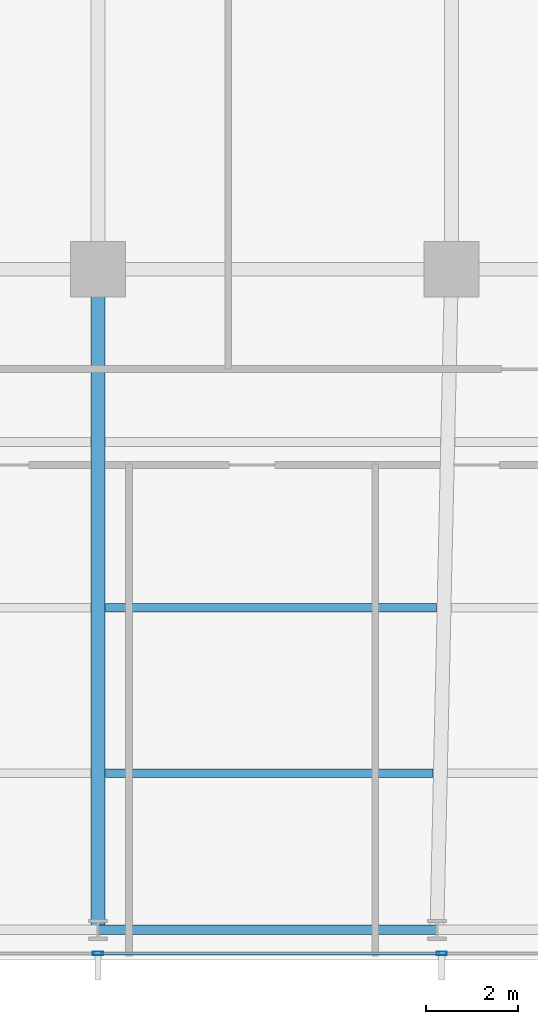
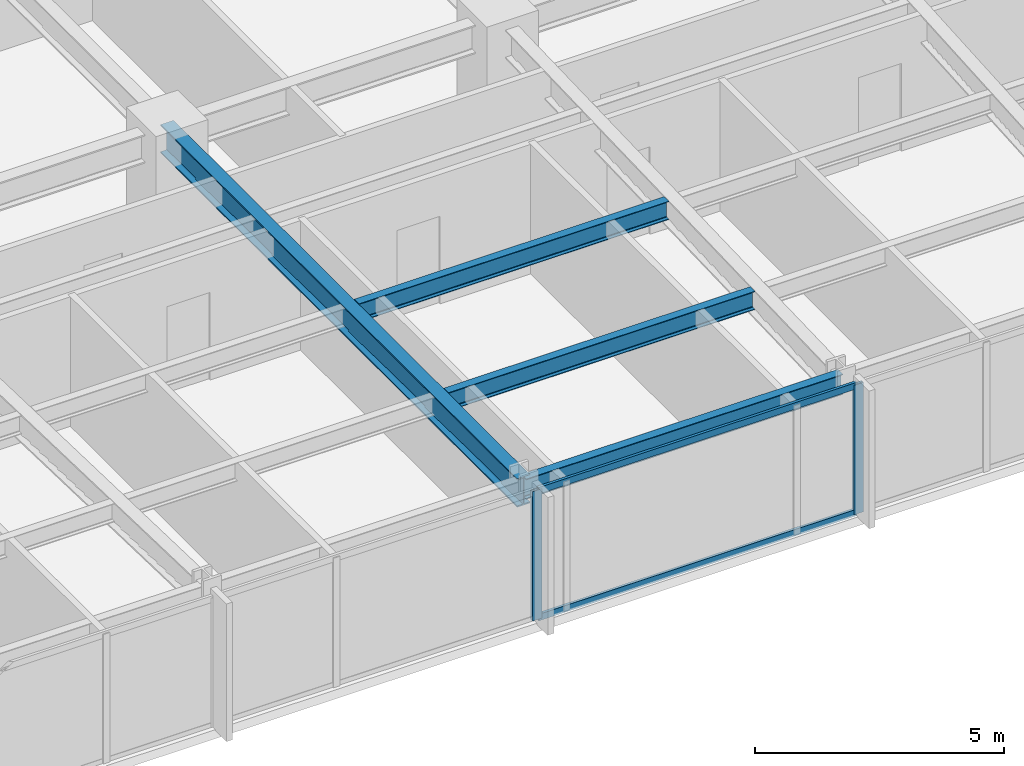
# One storey, part 11 of 32: 4 beams, 4 members, 1 element without a shape of its own.
"""IFC4 building model written with IfcOpenShell, lengths in metres."""

from ifc_helpers import new_model, si_unit, direction, frame, origin, origin_2d, place, context, subcontext, project, spatial, hollow_rectangle, i_section, extrude, material, material_profile, profile_set, type_object, element, aggregate, save


model = new_model("IFC4")

# Units and contexts
model_context = context("Model", 3, precision=1e-05, world=origin(), true_north=direction((0.0, 1.0)))
body_context = subcontext(model_context, "Body", "Model", "MODEL_VIEW")
ifc_project = project(units=[si_unit("LENGTHUNIT", "METRE"), si_unit("AREAUNIT", "SQUARE_METRE"), si_unit("VOLUMEUNIT", "CUBIC_METRE"), si_unit("PLANEANGLEUNIT", "RADIAN"), si_unit("MASSUNIT", "GRAM", prefix="KILO")], contexts=[model_context])

# Site, building, storey
site_placement = place(None, origin())
site = spatial("IfcSite", under=ifc_project, at=site_placement, CompositionType="ELEMENT")
building_placement = place(site_placement, origin())
building = spatial("IfcBuilding", under=site, at=building_placement, Name="Yelkora Congress Tower", CompositionType="ELEMENT")
storey_placement = place(building_placement, frame((0.0, 0.0, 44.0)))
storey = spatial("IfcBuildingStorey", under=building, at=storey_placement, Name="L10", CompositionType="ELEMENT", Elevation=44.0)

# Beams
ifc_material_1 = material(Name="Steel S355J2", Category="steel")
ifc_material_profile_1 = material_profile(ifc_material_1, i_section(OverallWidth=0.300048828125, OverallDepth=0.699951171875, WebThickness=0.01708984375, FlangeThickness=0.031982421875, FilletRadius=0.027099609375, at=origin_2d()), Name="HEB 700")
ifc_profile_set_1 = profile_set([ifc_material_profile_1], Name="Steel S355J2")
beam_type_1 = type_object("IfcBeamType", Name="BM-GIRD-HEB700", PredefinedType="BEAM", material=ifc_profile_set_1)
beam_1_placement = place(storey_placement, frame((38.39990234375, 10.85009765625, 2.830078125), z_axis=(0.0, 1.0, 0.0), x_axis=(-1.0, 0.0, 0.0)))
element("IfcBeam", 1, at=beam_1_placement, inside=storey, type_object=beam_type_1, Name="L10 Primary Frame Girder S05", PredefinedType="BEAM", context=body_context, shape_type="SweptSolid", body=[
    extrude(i_section(OverallWidth=0.300048828125, OverallDepth=0.699951171875, WebThickness=0.01708984375, FlangeThickness=0.031982421875, FilletRadius=0.027099609375, at=origin_2d()), origin(), (0.0, 0.0, 1.0), 14.349853515625),
])
ifc_material_profile_2 = material_profile(ifc_material_1, i_section(OverallWidth=0.18994140625, OverallDepth=0.449951171875, WebThickness=0.009521484375, FlangeThickness=0.0146484375, FilletRadius=0.02099609375, at=origin_2d()), Name="IPE 450")
ifc_profile_set_2 = profile_set([ifc_material_profile_2], Name="Steel S355J2")
beam_type_2 = type_object("IfcBeamType", Name="BM-JOIST-IPE450", PredefinedType="JOIST", material=ifc_profile_set_2)
beam_2_placement = place(storey_placement, frame((38.56005859375, 14.25, 2.955078125), z_axis=(1.0, 0.0, 0.0), x_axis=(0.0, 1.0, 0.0)))
element("IfcBeam", 2, at=beam_2_placement, inside=storey, type_object=beam_type_2, Name="L10 Composite Floor Joist 5", PredefinedType="JOIST", context=body_context, shape_type="SweptSolid", body=[
    extrude(i_section(OverallWidth=0.18994140625, OverallDepth=0.449951171875, WebThickness=0.009521484375, FlangeThickness=0.0146484375, FilletRadius=0.02099609375, at=origin_2d()), origin(), (0.0, 0.0, 1.0), 7.11767578125),
])
beam_3_placement = place(storey_placement, frame((38.56005859375, 17.85009765625, 2.955078125), z_axis=(1.0, 0.0, 0.0), x_axis=(0.0, 1.0, 0.0)))
element("IfcBeam", 3, at=beam_3_placement, inside=storey, type_object=beam_type_2, Name="L10 Composite Floor Joist 13", PredefinedType="JOIST", context=body_context, shape_type="SweptSolid", body=[
    extrude(i_section(OverallWidth=0.18994140625, OverallDepth=0.449951171875, WebThickness=0.009521484375, FlangeThickness=0.0146484375, FilletRadius=0.02099609375, at=origin_2d()), origin(), (0.0, 0.0, 1.0), 7.197265625),
])
ifc_material_profile_3 = material_profile(ifc_material_1, i_section(OverallWidth=0.199951171875, OverallDepth=0.5, WebThickness=0.01025390625, FlangeThickness=0.01611328125, FilletRadius=0.02099609375, at=origin_2d()), Name="IPE 500")
ifc_profile_set_3 = profile_set([ifc_material_profile_3], Name="Steel S355J2")
beam_type_3 = type_object("IfcBeamType", Name="BM-SPAN-IPE500", PredefinedType="SPANDREL", material=ifc_profile_set_3)
beam_4_placement = place(storey_placement, frame((38.39990234375, 10.85009765625, 2.929931640625), z_axis=(1.0, 0.0, 0.0), x_axis=(0.0, 1.0, 0.0)))
element("IfcBeam", 4, at=beam_4_placement, inside=storey, type_object=beam_type_3, Name="L10 Perimeter Beam 6", PredefinedType="SPANDREL", context=body_context, shape_type="SweptSolid", body=[
    extrude(i_section(OverallWidth=0.199951171875, OverallDepth=0.5, WebThickness=0.01025390625, FlangeThickness=0.01611328125, FilletRadius=0.02099609375, at=origin_2d()), origin(), (0.0, 0.0, 1.0), 7.362548828125),
])

# Curtain wall, members
ifc_material_2 = material(Name="Anodised aluminium and insulated glass", Category="aluminium")
curtain_wall_type = type_object("IfcCurtainWallType", Name="CW-SYS-B1", PredefinedType="NOTDEFINED", material=ifc_material_2)
curtain_wall_placement = place(storey_placement, origin())
curtain_wall = element("IfcCurtainWall", 5, at=curtain_wall_placement, inside=storey, type_object=curtain_wall_type, Name="L10 Unitised Curtain Wall 20", PredefinedType="NOTDEFINED")
ifc_material_3 = material(Name="Anodised aluminium 6063-T6", Category="aluminium")
ifc_material_profile_4 = material_profile(ifc_material_3, hollow_rectangle(XDim=0.074951171875, YDim=0.219970703125, WallThickness=0.0048828125, at=origin_2d()), Name="ALU 75x220x5")
ifc_profile_set_4 = profile_set([ifc_material_profile_4], Name="Anodised aluminium 6063-T6")
member_type_1 = type_object("IfcMemberType", Name="MEM-ML-B1", PredefinedType="MULLION", material=ifc_profile_set_4)
member_1_placement = place(storey_placement, frame((45.864990234375, 10.340087890625, 0.0), z_axis=(0.0, 0.0, 1.0), x_axis=(0.0, -1.0, 0.0)))
member_1 = element("IfcMember", 6, at=member_1_placement, type_object=member_type_1, Name="CW-B1 mullion 4", PredefinedType="MULLION", context=body_context, shape_type="SweptSolid", body=[
    extrude(hollow_rectangle(XDim=0.074951171875, YDim=0.219970703125, WallThickness=0.0048828125, at=origin_2d()), origin(), (0.0, 0.0, 1.0), 3.179931640625),
])
member_2_placement = place(storey_placement, frame((38.39990234375, 10.340087890625, 0.0), z_axis=(0.0, 0.0, 1.0), x_axis=(0.0, -1.0, 0.0)))
member_2 = element("IfcMember", 7, at=member_2_placement, type_object=member_type_1, Name="CW-B1 mullion 5", PredefinedType="MULLION", context=body_context, shape_type="SweptSolid", body=[
    extrude(hollow_rectangle(XDim=0.074951171875, YDim=0.219970703125, WallThickness=0.0048828125, at=origin_2d()), origin(), (0.0, 0.0, 1.0), 3.179931640625),
])
ifc_material_profile_5 = material_profile(ifc_material_3, hollow_rectangle(XDim=0.06494140625, YDim=0.159912109375, WallThickness=0.00390625, at=origin_2d()), Name="ALU 65x160x4")
ifc_profile_set_5 = profile_set([ifc_material_profile_5], Name="Anodised aluminium 6063-T6")
member_type_2 = type_object("IfcMemberType", Name="MEM-TR-B1", PredefinedType="USERDEFINED", material=ifc_profile_set_5)
member_3_placement = place(storey_placement, frame((45.827392578125, 10.340087890625, 0.032470703125), z_axis=(-1.0, 0.0, 0.0), x_axis=(0.0, -1.0, 0.0)))
member_3 = element("IfcMember", 8, at=member_3_placement, type_object=member_type_2, Name="CW-B1 transom 4.1", ObjectType="TRANSOM", PredefinedType="USERDEFINED", context=body_context, shape_type="SweptSolid", body=[
    extrude(hollow_rectangle(XDim=0.06494140625, YDim=0.159912109375, WallThickness=0.00390625, at=origin_2d()), origin(), (0.0, 0.0, 1.0), 7.389892578125),
])
member_4_placement = place(storey_placement, frame((45.827392578125, 10.340087890625, 3.1474609375), z_axis=(-1.0, 0.0, 0.0), x_axis=(0.0, -1.0, 0.0)))
member_4 = element("IfcMember", 9, at=member_4_placement, type_object=member_type_2, Name="CW-B1 transom 4.2", ObjectType="TRANSOM", PredefinedType="USERDEFINED", context=body_context, shape_type="SweptSolid", body=[
    extrude(hollow_rectangle(XDim=0.06494140625, YDim=0.159912109375, WallThickness=0.00390625, at=origin_2d()), origin(), (0.0, 0.0, 1.0), 7.389892578125),
])
aggregate(curtain_wall, [member_1, member_2, member_3, member_4])

save(model, "model.ifc")
